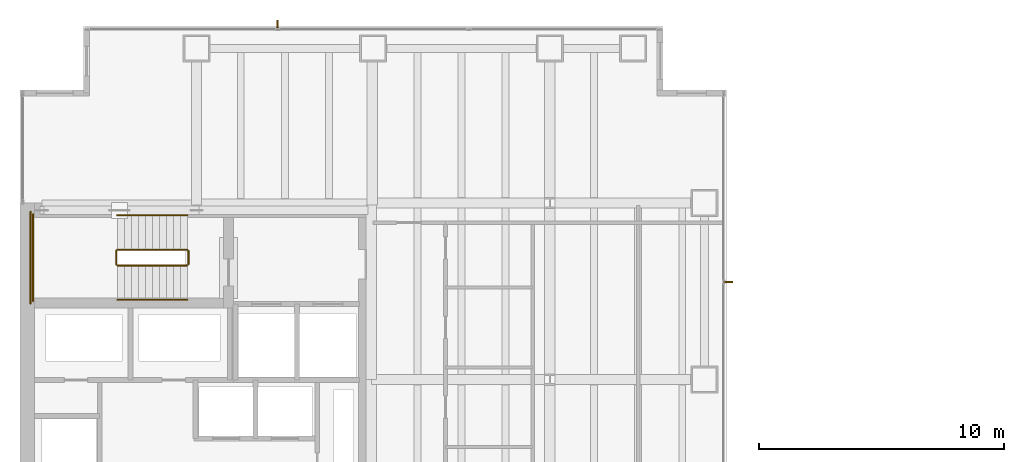
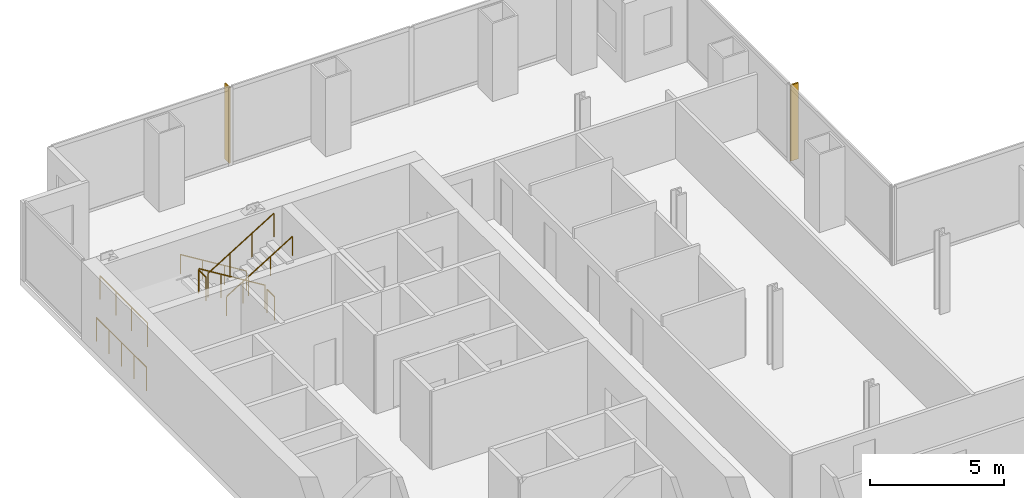
# One storey, part 25 of 25: 8 railings, 2 shading devices.
"""IFC4 building model written with IfcOpenShell, lengths in metres."""

from ifc_helpers import new_model, si_unit, direction, frame, origin, origin_2d, place, context, subcontext, project, spatial, polyline, circle, outline, extrude, material, layer, layer_set, type_object, element, save


model = new_model("IFC4")

# Units and contexts
model_context = context("Model", 3, precision=1e-05, world=origin(), true_north=direction((0.0, 1.0)))
body_context = subcontext(model_context, "Body", "Model", "MODEL_VIEW")
ifc_project = project(units=[si_unit("LENGTHUNIT", "METRE"), si_unit("AREAUNIT", "SQUARE_METRE"), si_unit("VOLUMEUNIT", "CUBIC_METRE"), si_unit("PLANEANGLEUNIT", "RADIAN"), si_unit("MASSUNIT", "GRAM", prefix="KILO")], contexts=[model_context])

# Site, building, storey
site_placement = place(None, origin())
site = spatial("IfcSite", under=ifc_project, at=site_placement, CompositionType="ELEMENT")
building_placement = place(site_placement, origin())
building = spatial("IfcBuilding", under=site, at=building_placement, Name="Cobrela Telecom Tower", CompositionType="ELEMENT")
storey_placement = place(building_placement, frame((0.0, 0.0, 35.0)))
storey = spatial("IfcBuildingStorey", under=building, at=storey_placement, Name="L08", CompositionType="ELEMENT", Elevation=35.0)

# Railings
ifc_material_1 = material(Name="Steel ASTM A36", Category="steel")
railing_type_1 = type_object("IfcRailingType", Name="RAIL-GUARD-1100", PredefinedType="GUARDRAIL", material=ifc_material_1)
railing_1_placement = place(storey_placement, frame((6.820068359375, 34.10009765625, 0.175048828125)))
element("IfcRailing", 1, at=railing_1_placement, inside=storey, type_object=railing_type_1, Name="L08 ST1 stair guard 1", PredefinedType="GUARDRAIL", context=body_context, shape_type="SweptSolid", body=[
    extrude(circle(Radius=0.02392578125, at=origin_2d()), frame((0.0, 0.0, 1.076171875), z_axis=(-0.852179220489, 0.0, 0.52325001306), x_axis=(0.0, -1.0, 0.0)), (0.0, 0.0, 1.0), 3.344482421875),
    extrude(circle(Radius=0.02099609375, at=origin_2d()), origin(), (0.0, 0.0, 1.0), 1.052001953125),
    extrude(circle(Radius=0.02099609375, at=origin_2d()), frame((-0.949951171875, 0.0, 0.583251953125)), (0.0, 0.0, 1.0), 1.052001953125),
    extrude(circle(Radius=0.02099609375, at=origin_2d()), frame((-1.900146484375, 0.0, 1.166748046875)), (0.0, 0.0, 1.0), 1.052001953125),
    extrude(circle(Radius=0.02099609375, at=origin_2d()), frame((-2.85009765625, 0.0, 1.75)), (0.0, 0.0, 1.0), 1.052001953125),
])
railing_2_placement = place(storey_placement, frame((3.919921875, 34.050048828125, 1.925048828125)))
element("IfcRailing", 2, at=railing_2_placement, inside=storey, type_object=railing_type_1, Name="L08 ST1 stair guard 2", PredefinedType="GUARDRAIL", context=body_context, shape_type="SweptSolid", body=[
    extrude(circle(Radius=0.02392578125, at=origin_2d()), frame((0.0, 0.0, 1.076171875), z_axis=(0.0, -1.0, 0.0), x_axis=(1.0, 0.0, 0.0)), (0.0, 0.0, 1.0), 0.550048828125),
    extrude(circle(Radius=0.02099609375, at=origin_2d()), origin(), (0.0, 0.0, 1.0), 1.052001953125),
    extrude(circle(Radius=0.02099609375, at=origin_2d()), frame((0.0, -0.550048828125, 0.0)), (0.0, 0.0, 1.0), 1.052001953125),
])
railing_3_placement = place(storey_placement, frame((0.530029296875, 35.550048828125, 1.925048828125)))
element("IfcRailing", 3, at=railing_3_placement, inside=storey, type_object=railing_type_1, Name="L08 ST1 stair guard 3", PredefinedType="GUARDRAIL", context=body_context, shape_type="SweptSolid", body=[
    extrude(circle(Radius=0.02392578125, at=origin_2d()), frame((0.0, 0.0, 1.076171875), z_axis=(0.0, -1.0, 0.0), x_axis=(1.0, 0.0, 0.0)), (0.0, 0.0, 1.0), 3.550048828125),
    extrude(circle(Radius=0.02099609375, at=origin_2d()), origin(), (0.0, 0.0, 1.0), 1.052001953125),
    extrude(circle(Radius=0.02099609375, at=origin_2d()), frame((0.0, -1.183349609375, 0.0)), (0.0, 0.0, 1.0), 1.052001953125),
    extrude(circle(Radius=0.02099609375, at=origin_2d()), frame((0.0, -2.36669921875, 0.0)), (0.0, 0.0, 1.0), 1.052001953125),
    extrude(circle(Radius=0.02099609375, at=origin_2d()), frame((0.0, -3.550048828125, 0.0)), (0.0, 0.0, 1.0), 1.052001953125),
])
railing_4_placement = place(storey_placement, frame((3.969970703125, 33.449951171875, 2.10009765625)))
element("IfcRailing", 4, at=railing_4_placement, inside=storey, type_object=railing_type_1, Name="L08 ST1 stair guard 4", PredefinedType="GUARDRAIL", context=body_context, shape_type="SweptSolid", body=[
    extrude(circle(Radius=0.02392578125, at=origin_2d()), frame((0.0, 0.0, 1.076171875), z_axis=(0.852179220489, 0.0, 0.52325001306), x_axis=(0.0, 1.0, 0.0)), (0.0, 0.0, 1.0), 3.344482421875),
    extrude(circle(Radius=0.02099609375, at=origin_2d()), origin(), (0.0, 0.0, 1.0), 1.052001953125),
    extrude(circle(Radius=0.02099609375, at=origin_2d()), frame((0.949951171875, 0.0, 0.583251953125)), (0.0, 0.0, 1.0), 1.052001953125),
    extrude(circle(Radius=0.02099609375, at=origin_2d()), frame((1.900146484375, 0.0, 1.166748046875)), (0.0, 0.0, 1.0), 1.052001953125),
    extrude(circle(Radius=0.02099609375, at=origin_2d()), frame((2.85009765625, 0.0, 1.75)), (0.0, 0.0, 1.0), 1.052001953125),
])
railing_5_placement = place(storey_placement, frame((6.8701171875, 34.050048828125, 0.0)))
element("IfcRailing", 5, at=railing_5_placement, inside=storey, type_object=railing_type_1, Name="L08 ST1 stair guard 5", PredefinedType="GUARDRAIL", context=body_context, shape_type="SweptSolid", body=[
    extrude(circle(Radius=0.02392578125, at=origin_2d()), frame((0.0, 0.0, 1.076171875), z_axis=(0.0, -1.0, 0.0), x_axis=(1.0, 0.0, 0.0)), (0.0, 0.0, 1.0), 0.550048828125),
    extrude(circle(Radius=0.02099609375, at=origin_2d()), origin(), (0.0, 0.0, 1.0), 1.052001953125),
    extrude(circle(Radius=0.02099609375, at=origin_2d()), frame((0.0, -0.550048828125, 0.0)), (0.0, 0.0, 1.0), 1.052001953125),
])
railing_6_placement = place(storey_placement, frame((0.429931640625, 35.64990234375, 0.0)))
element("IfcRailing", 6, at=railing_6_placement, inside=storey, type_object=railing_type_1, Name="L08 ST1 stair guard 6", PredefinedType="GUARDRAIL", context=body_context, shape_type="SweptSolid", body=[
    extrude(circle(Radius=0.02392578125, at=origin_2d()), frame((0.0, 0.0, 1.076171875), z_axis=(0.0, -1.0, 0.0), x_axis=(1.0, 0.0, 0.0)), (0.0, 0.0, 1.0), 3.75),
    extrude(circle(Radius=0.02099609375, at=origin_2d()), origin(), (0.0, 0.0, 1.0), 1.052001953125),
    extrude(circle(Radius=0.02099609375, at=origin_2d()), frame((0.0, -0.9375, 0.0)), (0.0, 0.0, 1.0), 1.052001953125),
    extrude(circle(Radius=0.02099609375, at=origin_2d()), frame((0.0, -1.875, 0.0)), (0.0, 0.0, 1.0), 1.052001953125),
    extrude(circle(Radius=0.02099609375, at=origin_2d()), frame((0.0, -2.8125, 0.0)), (0.0, 0.0, 1.0), 1.052001953125),
    extrude(circle(Radius=0.02099609375, at=origin_2d()), frame((0.0, -3.75, 0.0)), (0.0, 0.0, 1.0), 1.052001953125),
])
railing_type_2 = type_object("IfcRailingType", Name="RAIL-HAND-920", PredefinedType="HANDRAIL", material=ifc_material_1)
railing_7_placement = place(storey_placement, frame((6.820068359375, 35.5, 0.175048828125)))
element("IfcRailing", 7, at=railing_7_placement, inside=storey, type_object=railing_type_2, Name="L08 ST1 stair handrail 1", PredefinedType="HANDRAIL", context=body_context, shape_type="SweptSolid", body=[
    extrude(circle(Radius=0.02392578125, at=origin_2d()), frame((0.0, 0.0, 0.8759765625), z_axis=(-0.852179220489, 0.0, 0.52325001306), x_axis=(0.0, -1.0, 0.0)), (0.0, 0.0, 1.0), 3.344482421875),
    extrude(circle(Radius=0.02099609375, at=origin_2d()), origin(), (0.0, 0.0, 1.0), 0.851806640625),
    extrude(circle(Radius=0.02099609375, at=origin_2d()), frame((-0.949951171875, 0.0, 0.583251953125)), (0.0, 0.0, 1.0), 0.851806640625),
    extrude(circle(Radius=0.02099609375, at=origin_2d()), frame((-1.900146484375, 0.0, 1.166748046875)), (0.0, 0.0, 1.0), 0.851806640625),
    extrude(circle(Radius=0.02099609375, at=origin_2d()), frame((-2.85009765625, 0.0, 1.75)), (0.0, 0.0, 1.0), 0.851806640625),
])
railing_8_placement = place(storey_placement, frame((3.969970703125, 32.050048828125, 2.10009765625)))
element("IfcRailing", 8, at=railing_8_placement, inside=storey, type_object=railing_type_2, Name="L08 ST1 stair handrail 2", PredefinedType="HANDRAIL", context=body_context, shape_type="SweptSolid", body=[
    extrude(circle(Radius=0.02392578125, at=origin_2d()), frame((0.0, 0.0, 0.8759765625), z_axis=(0.852179220489, 0.0, 0.52325001306), x_axis=(0.0, 1.0, 0.0)), (0.0, 0.0, 1.0), 3.344482421875),
    extrude(circle(Radius=0.02099609375, at=origin_2d()), origin(), (0.0, 0.0, 1.0), 0.851806640625),
    extrude(circle(Radius=0.02099609375, at=origin_2d()), frame((0.949951171875, 0.0, 0.583251953125)), (0.0, 0.0, 1.0), 0.851806640625),
    extrude(circle(Radius=0.02099609375, at=origin_2d()), frame((1.900146484375, 0.0, 1.166748046875)), (0.0, 0.0, 1.0), 0.851806640625),
    extrude(circle(Radius=0.02099609375, at=origin_2d()), frame((2.85009765625, 0.0, 1.75)), (0.0, 0.0, 1.0), 0.851806640625),
])

# Shading devices
ifc_material_2 = material(Name="Anodized Bronze Aluminium 6063-T6", Category="aluminium")
ifc_layer = layer(ifc_material_2, 0.06005859375)
ifc_layer_set = layer_set([ifc_layer], Name="Anodized Bronze Aluminium 6063-T6")
shading_device_type = type_object("IfcShadingDeviceType", Name="SHD-FIN-BRZ", PredefinedType="USERDEFINED", material=ifc_layer_set)
shading_device_1_placement = place(storey_placement, frame((0.0, 0.0, 0.050048828125)))
element("IfcShadingDevice", 9, at=shading_device_1_placement, inside=storey, type_object=shading_device_type, Name="L08 Anodized Bronze Solar Fin 11", ObjectType="SUNSHADE", PredefinedType="USERDEFINED", context=body_context, shape_type="SweptSolid", body=[
    extrude(outline(polyline([(10.473388671875, 43.1201171875), (10.533203125, 43.1201171875), (10.533203125, 43.4599609375), (10.473388671875, 43.4599609375), (10.473388671875, 43.1201171875)])), origin(), (0.0, 0.0, 1.0), 3.469970703125),
])
shading_device_2_placement = place(storey_placement, frame((0.0, 0.0, 0.050048828125)))
element("IfcShadingDevice", 10, at=shading_device_2_placement, inside=storey, type_object=shading_device_type, Name="L08 Anodized Bronze Solar Fin 12", ObjectType="SUNSHADE", PredefinedType="USERDEFINED", context=body_context, shape_type="SweptSolid", body=[
    extrude(outline(polyline([(28.719970703125, 32.81494140625), (28.719970703125, 32.7548828125), (29.06005859375, 32.7548828125), (29.06005859375, 32.81494140625), (28.719970703125, 32.81494140625)])), origin(), (0.0, 0.0, 1.0), 3.469970703125),
])

save(model, "model.ifc")
